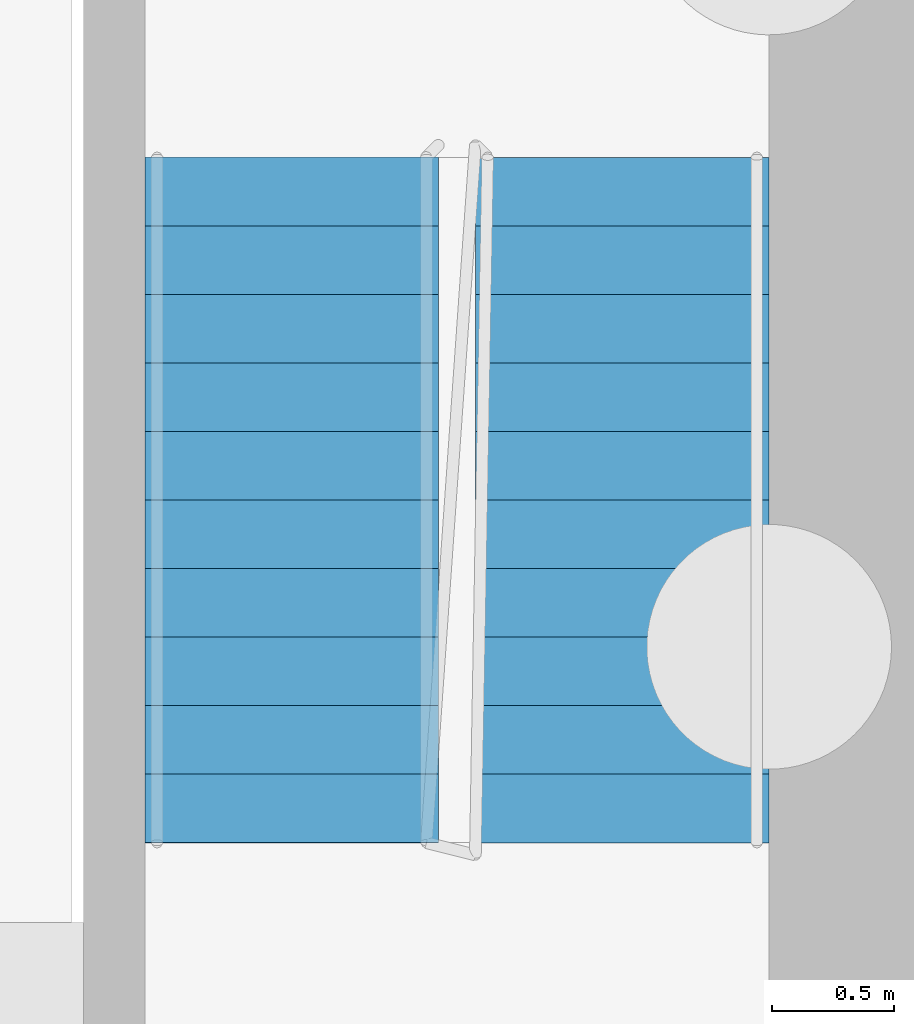
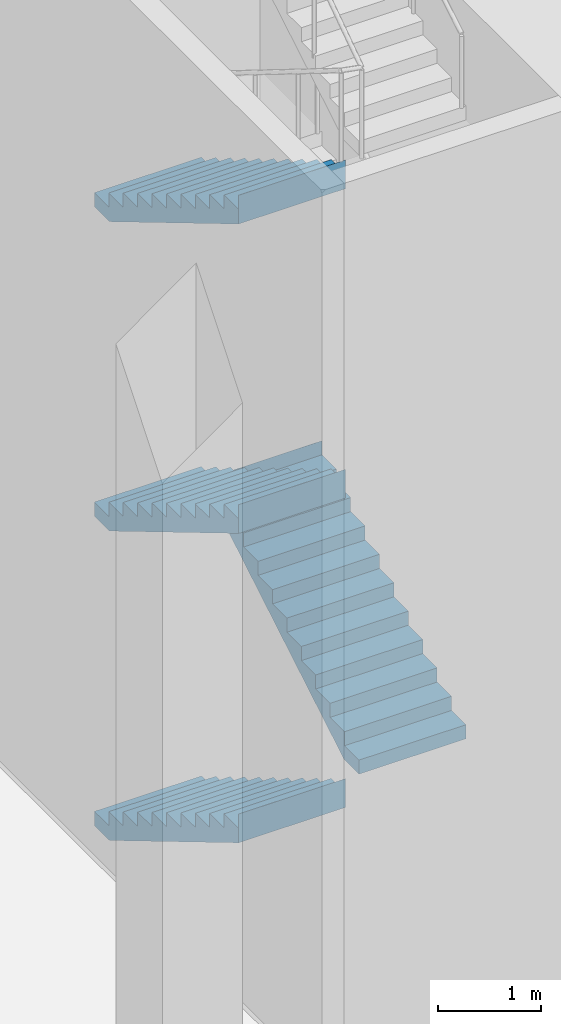
# One storey, part 10 of 26: 4 stair flights, 1 element without a shape of its own.
"""IFC4 building model written with IfcOpenShell, lengths in metres."""

from ifc_helpers import new_model, si_unit, direction, frame, origin, place, context, subcontext, project, spatial, faceted_brep, material, type_object, element, aggregate, save


model = new_model("IFC4")

# Units and contexts
model_context = context("Model", 3, precision=1e-05, world=origin(), true_north=direction((0.0, 1.0)))
body_context = subcontext(model_context, "Body", "Model", "MODEL_VIEW")
ifc_project = project(units=[si_unit("LENGTHUNIT", "METRE"), si_unit("AREAUNIT", "SQUARE_METRE"), si_unit("VOLUMEUNIT", "CUBIC_METRE"), si_unit("PLANEANGLEUNIT", "RADIAN"), si_unit("MASSUNIT", "GRAM", prefix="KILO")], contexts=[model_context])

# Site, building, storey
site_placement = place(None, origin())
site = spatial("IfcSite", under=ifc_project, at=site_placement, CompositionType="ELEMENT")
building_placement = place(site_placement, origin())
building = spatial("IfcBuilding", under=site, at=building_placement, Name="Kajstack Hotel Tower", CompositionType="ELEMENT")
storey_placement = place(building_placement, origin())
storey = spatial("IfcBuildingStorey", under=building, at=storey_placement, Name="L00", CompositionType="ELEMENT", Elevation=0.0)

# Stair, stair flights
ifc_material = material(Name="Concrete C40/50", Category="concrete")
stair_type = type_object("IfcStairType", Name="Exit stair 1200", PredefinedType="HALF_TURN_STAIR", material=ifc_material)
stair_placement = place(storey_placement, origin())
stair = element("IfcStair", 1, at=stair_placement, inside=storey, type_object=stair_type, Name="L00 stair W1", PredefinedType="HALF_TURN_STAIR")
stair_flight_type = type_object("IfcStairFlightType", Name="Exit stair flight 1200", PredefinedType="STRAIGHT", material=ifc_material)
stair_flight_1_placement = place(storey_placement, frame((-33.449951171875, -5.25, 0.0), z_axis=(0.0, 0.0, 1.0), x_axis=(0.0, -1.0, 0.0)))
stair_flight_1 = element("IfcStairFlight", 2, at=stair_flight_1_placement, type_object=stair_flight_type, Name="W1 flight 1", NumberOfRisers=11, NumberOfTreads=10, PredefinedType="STRAIGHT", RiserHeight=0.166666667, TreadLength=0.28, context=body_context, shape_type="Brep", body=[
    faceted_brep([(0.29345703125, -0.60009765625, 0.0), (2.800537109375, -0.60009765625, 1.4921875), (2.800537109375, -0.60009765625, 1.833251953125), (2.800048828125, -0.60009765625, 1.833251953125), (2.800048828125, -0.60009765625, 1.666748046875), (2.52001953125, -0.60009765625, 1.666748046875), (2.52001953125, -0.60009765625, 1.5), (2.239990234375, -0.60009765625, 1.5), (2.239990234375, -0.60009765625, 1.333251953125), (1.9599609375, -0.60009765625, 1.333251953125), (1.9599609375, -0.60009765625, 1.166748046875), (1.679931640625, -0.60009765625, 1.166748046875), (1.679931640625, -0.60009765625, 1.0), (1.39990234375, -0.60009765625, 1.0), (1.39990234375, -0.60009765625, 0.833251953125), (1.1201171875, -0.60009765625, 0.833251953125), (1.1201171875, -0.60009765625, 0.666748046875), (0.840087890625, -0.60009765625, 0.666748046875), (0.840087890625, -0.60009765625, 0.5), (0.56005859375, -0.60009765625, 0.5), (0.56005859375, -0.60009765625, 0.333251953125), (0.280029296875, -0.60009765625, 0.333251953125), (0.280029296875, -0.60009765625, 0.166748046875), (-0.00048828125, -0.60009765625, 0.166748046875), (-0.00048828125, -0.60009765625, 0.0), (-0.00048828125, 0.60009765625, 0.0), (-0.00048828125, 0.60009765625, 0.166748046875), (0.280029296875, 0.60009765625, 0.166748046875), (0.280029296875, 0.60009765625, 0.333251953125), (0.56005859375, 0.60009765625, 0.333251953125), (0.56005859375, 0.60009765625, 0.5), (0.840087890625, 0.60009765625, 0.5), (0.840087890625, 0.60009765625, 0.666748046875), (1.1201171875, 0.60009765625, 0.666748046875), (1.1201171875, 0.60009765625, 0.833251953125), (1.39990234375, 0.60009765625, 0.833251953125), (1.39990234375, 0.60009765625, 1.0), (1.679931640625, 0.60009765625, 1.0), (1.679931640625, 0.60009765625, 1.166748046875), (1.9599609375, 0.60009765625, 1.166748046875), (1.9599609375, 0.60009765625, 1.333251953125), (2.239990234375, 0.60009765625, 1.333251953125), (2.239990234375, 0.60009765625, 1.5), (2.52001953125, 0.60009765625, 1.5), (2.52001953125, 0.60009765625, 1.666748046875), (2.800048828125, 0.60009765625, 1.666748046875), (2.800048828125, 0.60009765625, 1.833251953125), (2.800537109375, 0.60009765625, 1.833251953125), (2.800537109375, 0.60009765625, 1.4921875), (0.29345703125, 0.60009765625, 0.0), (-0.00048828125, -0.300048828125, 0.166748046875), (-0.00048828125, 0.0, 0.166748046875), (-0.00048828125, 0.300048828125, 0.166748046875), (-0.00048828125, 0.300048828125, 0.0), (-0.00048828125, 0.0, 0.0), (-0.00048828125, -0.300048828125, 0.0), (0.280029296875, -0.300048828125, 0.166748046875), (0.280029296875, 0.0, 0.166748046875), (0.280029296875, 0.300048828125, 0.166748046875), (0.280029296875, -0.300048828125, 0.333251953125), (0.280029296875, 0.0, 0.333251953125), (0.280029296875, 0.300048828125, 0.333251953125), (0.56005859375, -0.300048828125, 0.333251953125), (0.56005859375, 0.0, 0.333251953125), (0.56005859375, 0.300048828125, 0.333251953125), (0.56005859375, -0.300048828125, 0.5), (0.56005859375, 0.0, 0.5), (0.56005859375, 0.300048828125, 0.5), (0.840087890625, -0.300048828125, 0.5), (0.840087890625, 0.0, 0.5), (0.840087890625, 0.300048828125, 0.5), (0.840087890625, -0.300048828125, 0.666748046875), (0.840087890625, 0.0, 0.666748046875), (0.840087890625, 0.300048828125, 0.666748046875), (1.1201171875, -0.300048828125, 0.666748046875), (1.1201171875, 0.0, 0.666748046875), (1.1201171875, 0.300048828125, 0.666748046875), (1.1201171875, -0.300048828125, 0.833251953125), (1.1201171875, 0.0, 0.833251953125), (1.1201171875, 0.300048828125, 0.833251953125), (1.39990234375, -0.300048828125, 0.833251953125), (1.39990234375, 0.0, 0.833251953125), (1.39990234375, 0.300048828125, 0.833251953125), (1.39990234375, -0.300048828125, 1.0), (1.39990234375, 0.0, 1.0), (1.39990234375, 0.300048828125, 1.0), (1.679931640625, -0.300048828125, 1.0), (1.679931640625, 0.0, 1.0), (1.679931640625, 0.300048828125, 1.0), (1.679931640625, -0.300048828125, 1.166748046875), (1.679931640625, 0.0, 1.166748046875), (1.679931640625, 0.300048828125, 1.166748046875), (1.9599609375, -0.300048828125, 1.166748046875), (1.9599609375, 0.0, 1.166748046875), (1.9599609375, 0.300048828125, 1.166748046875), (1.9599609375, -0.300048828125, 1.333251953125), (1.9599609375, 0.0, 1.333251953125), (1.9599609375, 0.300048828125, 1.333251953125), (2.239990234375, -0.300048828125, 1.333251953125), (2.239990234375, 0.0, 1.333251953125), (2.239990234375, 0.300048828125, 1.333251953125), (2.239990234375, -0.300048828125, 1.5), (2.239990234375, 0.0, 1.5), (2.239990234375, 0.300048828125, 1.5), (2.52001953125, -0.300048828125, 1.5), (2.52001953125, 0.0, 1.5), (2.52001953125, 0.300048828125, 1.5), (2.52001953125, -0.300048828125, 1.666748046875), (2.52001953125, 0.0, 1.666748046875), (2.52001953125, 0.300048828125, 1.666748046875), (2.800048828125, -0.300048828125, 1.666748046875), (2.800048828125, 0.0, 1.666748046875), (2.800048828125, 0.300048828125, 1.666748046875), (2.800048828125, -0.300048828125, 1.833251953125), (2.800048828125, 0.0, 1.833251953125), (2.800048828125, 0.300048828125, 1.833251953125), (2.800537109375, -0.300048828125, 1.833251953125), (2.800537109375, 0.0, 1.833251953125), (2.800537109375, 0.300048828125, 1.833251953125), (2.800537109375, -0.300048828125, 1.4921875), (2.800537109375, 0.0, 1.4921875), (2.800537109375, 0.300048828125, 1.4921875), (0.29345703125, -0.300048828125, 0.0), (0.29345703125, 0.0, 0.0), (0.29345703125, 0.300048828125, 0.0)], [[[0, 1, 2, 3, 4, 5, 6, 7, 8, 9, 10, 11, 12, 13, 14, 15, 16, 17, 18, 19, 20, 21, 22, 23, 24]], [[25, 26, 27, 28, 29, 30, 31, 32, 33, 34, 35, 36, 37, 38, 39, 40, 41, 42, 43, 44, 45, 46, 47, 48, 49]], [[23, 50, 51, 52, 26, 25, 53, 54, 55, 24]], [[22, 56, 57, 58, 27, 26, 52, 51, 50, 23]], [[21, 59, 60, 61, 28, 27, 58, 57, 56, 22]], [[20, 62, 63, 64, 29, 28, 61, 60, 59, 21]], [[19, 65, 66, 67, 30, 29, 64, 63, 62, 20]], [[18, 68, 69, 70, 31, 30, 67, 66, 65, 19]], [[17, 71, 72, 73, 32, 31, 70, 69, 68, 18]], [[16, 74, 75, 76, 33, 32, 73, 72, 71, 17]], [[15, 77, 78, 79, 34, 33, 76, 75, 74, 16]], [[14, 80, 81, 82, 35, 34, 79, 78, 77, 15]], [[13, 83, 84, 85, 36, 35, 82, 81, 80, 14]], [[12, 86, 87, 88, 37, 36, 85, 84, 83, 13]], [[11, 89, 90, 91, 38, 37, 88, 87, 86, 12]], [[10, 92, 93, 94, 39, 38, 91, 90, 89, 11]], [[9, 95, 96, 97, 40, 39, 94, 93, 92, 10]], [[8, 98, 99, 100, 41, 40, 97, 96, 95, 9]], [[7, 101, 102, 103, 42, 41, 100, 99, 98, 8]], [[6, 104, 105, 106, 43, 42, 103, 102, 101, 7]], [[5, 107, 108, 109, 44, 43, 106, 105, 104, 6]], [[4, 110, 111, 112, 45, 44, 109, 108, 107, 5]], [[3, 113, 114, 115, 46, 45, 112, 111, 110, 4]], [[2, 116, 117, 118, 47, 46, 115, 114, 113, 3]], [[1, 119, 120, 121, 48, 47, 118, 117, 116, 2]], [[0, 122, 123, 124, 49, 48, 121, 120, 119, 1]], [[24, 55, 54, 53, 25, 49, 124, 123, 122, 0]]]),
])
stair_flight_2_placement = place(storey_placement, frame((-32.10009765625, -8.050048828125, 1.833251953125), z_axis=(0.0, 0.0, 1.0), x_axis=(0.0, 1.0, 0.0)))
stair_flight_2 = element("IfcStairFlight", 3, at=stair_flight_2_placement, type_object=stair_flight_type, Name="W1 flight 2", NumberOfRisers=11, NumberOfTreads=10, PredefinedType="STRAIGHT", RiserHeight=0.166666667, TreadLength=0.28, context=body_context, shape_type="Brep", body=[
    faceted_brep([(0.29345703125, -0.60009765625, 0.0), (2.800537109375, -0.60009765625, 1.4921875), (2.800537109375, -0.60009765625, 1.833251953125), (2.800048828125, -0.60009765625, 1.833251953125), (2.800048828125, -0.60009765625, 1.666748046875), (2.52001953125, -0.60009765625, 1.666748046875), (2.52001953125, -0.60009765625, 1.5), (2.239990234375, -0.60009765625, 1.5), (2.239990234375, -0.60009765625, 1.333251953125), (1.9599609375, -0.60009765625, 1.333251953125), (1.9599609375, -0.60009765625, 1.166748046875), (1.679931640625, -0.60009765625, 1.166748046875), (1.679931640625, -0.60009765625, 1.0), (1.39990234375, -0.60009765625, 1.0), (1.39990234375, -0.60009765625, 0.833251953125), (1.1201171875, -0.60009765625, 0.833251953125), (1.1201171875, -0.60009765625, 0.666748046875), (0.840087890625, -0.60009765625, 0.666748046875), (0.840087890625, -0.60009765625, 0.5), (0.56005859375, -0.60009765625, 0.5), (0.56005859375, -0.60009765625, 0.333251953125), (0.280029296875, -0.60009765625, 0.333251953125), (0.280029296875, -0.60009765625, 0.166748046875), (-0.00048828125, -0.60009765625, 0.166748046875), (-0.00048828125, -0.60009765625, 0.0), (-0.00048828125, 0.60009765625, 0.0), (-0.00048828125, 0.60009765625, 0.166748046875), (0.280029296875, 0.60009765625, 0.166748046875), (0.280029296875, 0.60009765625, 0.333251953125), (0.56005859375, 0.60009765625, 0.333251953125), (0.56005859375, 0.60009765625, 0.5), (0.840087890625, 0.60009765625, 0.5), (0.840087890625, 0.60009765625, 0.666748046875), (1.1201171875, 0.60009765625, 0.666748046875), (1.1201171875, 0.60009765625, 0.833251953125), (1.39990234375, 0.60009765625, 0.833251953125), (1.39990234375, 0.60009765625, 1.0), (1.679931640625, 0.60009765625, 1.0), (1.679931640625, 0.60009765625, 1.166748046875), (1.9599609375, 0.60009765625, 1.166748046875), (1.9599609375, 0.60009765625, 1.333251953125), (2.239990234375, 0.60009765625, 1.333251953125), (2.239990234375, 0.60009765625, 1.5), (2.52001953125, 0.60009765625, 1.5), (2.52001953125, 0.60009765625, 1.666748046875), (2.800048828125, 0.60009765625, 1.666748046875), (2.800048828125, 0.60009765625, 1.833251953125), (2.800537109375, 0.60009765625, 1.833251953125), (2.800537109375, 0.60009765625, 1.4921875), (0.29345703125, 0.60009765625, 0.0), (-0.00048828125, -0.300048828125, 0.166748046875), (-0.00048828125, 0.0, 0.166748046875), (-0.00048828125, 0.300048828125, 0.166748046875), (-0.00048828125, 0.300048828125, 0.0), (-0.00048828125, 0.0, 0.0), (-0.00048828125, -0.300048828125, 0.0), (0.280029296875, -0.300048828125, 0.166748046875), (0.280029296875, 0.0, 0.166748046875), (0.280029296875, 0.300048828125, 0.166748046875), (0.280029296875, -0.300048828125, 0.333251953125), (0.280029296875, 0.0, 0.333251953125), (0.280029296875, 0.300048828125, 0.333251953125), (0.56005859375, -0.300048828125, 0.333251953125), (0.56005859375, 0.0, 0.333251953125), (0.56005859375, 0.300048828125, 0.333251953125), (0.56005859375, -0.300048828125, 0.5), (0.56005859375, 0.0, 0.5), (0.56005859375, 0.300048828125, 0.5), (0.840087890625, -0.300048828125, 0.5), (0.840087890625, 0.0, 0.5), (0.840087890625, 0.300048828125, 0.5), (0.840087890625, -0.300048828125, 0.666748046875), (0.840087890625, 0.0, 0.666748046875), (0.840087890625, 0.300048828125, 0.666748046875), (1.1201171875, -0.300048828125, 0.666748046875), (1.1201171875, 0.0, 0.666748046875), (1.1201171875, 0.300048828125, 0.666748046875), (1.1201171875, -0.300048828125, 0.833251953125), (1.1201171875, 0.0, 0.833251953125), (1.1201171875, 0.300048828125, 0.833251953125), (1.39990234375, -0.300048828125, 0.833251953125), (1.39990234375, 0.0, 0.833251953125), (1.39990234375, 0.300048828125, 0.833251953125), (1.39990234375, -0.300048828125, 1.0), (1.39990234375, 0.0, 1.0), (1.39990234375, 0.300048828125, 1.0), (1.679931640625, -0.300048828125, 1.0), (1.679931640625, 0.0, 1.0), (1.679931640625, 0.300048828125, 1.0), (1.679931640625, -0.300048828125, 1.166748046875), (1.679931640625, 0.0, 1.166748046875), (1.679931640625, 0.300048828125, 1.166748046875), (1.9599609375, -0.300048828125, 1.166748046875), (1.9599609375, 0.0, 1.166748046875), (1.9599609375, 0.300048828125, 1.166748046875), (1.9599609375, -0.300048828125, 1.333251953125), (1.9599609375, 0.0, 1.333251953125), (1.9599609375, 0.300048828125, 1.333251953125), (2.239990234375, -0.300048828125, 1.333251953125), (2.239990234375, 0.0, 1.333251953125), (2.239990234375, 0.300048828125, 1.333251953125), (2.239990234375, -0.300048828125, 1.5), (2.239990234375, 0.0, 1.5), (2.239990234375, 0.300048828125, 1.5), (2.52001953125, -0.300048828125, 1.5), (2.52001953125, 0.0, 1.5), (2.52001953125, 0.300048828125, 1.5), (2.52001953125, -0.300048828125, 1.666748046875), (2.52001953125, 0.0, 1.666748046875), (2.52001953125, 0.300048828125, 1.666748046875), (2.800048828125, -0.300048828125, 1.666748046875), (2.800048828125, 0.0, 1.666748046875), (2.800048828125, 0.300048828125, 1.666748046875), (2.800048828125, -0.300048828125, 1.833251953125), (2.800048828125, 0.0, 1.833251953125), (2.800048828125, 0.300048828125, 1.833251953125), (2.800537109375, -0.300048828125, 1.833251953125), (2.800537109375, 0.0, 1.833251953125), (2.800537109375, 0.300048828125, 1.833251953125), (2.800537109375, -0.300048828125, 1.4921875), (2.800537109375, 0.0, 1.4921875), (2.800537109375, 0.300048828125, 1.4921875), (0.29345703125, -0.300048828125, 0.0), (0.29345703125, 0.0, 0.0), (0.29345703125, 0.300048828125, 0.0)], [[[0, 1, 2, 3, 4, 5, 6, 7, 8, 9, 10, 11, 12, 13, 14, 15, 16, 17, 18, 19, 20, 21, 22, 23, 24]], [[25, 26, 27, 28, 29, 30, 31, 32, 33, 34, 35, 36, 37, 38, 39, 40, 41, 42, 43, 44, 45, 46, 47, 48, 49]], [[23, 50, 51, 52, 26, 25, 53, 54, 55, 24]], [[22, 56, 57, 58, 27, 26, 52, 51, 50, 23]], [[21, 59, 60, 61, 28, 27, 58, 57, 56, 22]], [[20, 62, 63, 64, 29, 28, 61, 60, 59, 21]], [[19, 65, 66, 67, 30, 29, 64, 63, 62, 20]], [[18, 68, 69, 70, 31, 30, 67, 66, 65, 19]], [[17, 71, 72, 73, 32, 31, 70, 69, 68, 18]], [[16, 74, 75, 76, 33, 32, 73, 72, 71, 17]], [[15, 77, 78, 79, 34, 33, 76, 75, 74, 16]], [[14, 80, 81, 82, 35, 34, 79, 78, 77, 15]], [[13, 83, 84, 85, 36, 35, 82, 81, 80, 14]], [[12, 86, 87, 88, 37, 36, 85, 84, 83, 13]], [[11, 89, 90, 91, 38, 37, 88, 87, 86, 12]], [[10, 92, 93, 94, 39, 38, 91, 90, 89, 11]], [[9, 95, 96, 97, 40, 39, 94, 93, 92, 10]], [[8, 98, 99, 100, 41, 40, 97, 96, 95, 9]], [[7, 101, 102, 103, 42, 41, 100, 99, 98, 8]], [[6, 104, 105, 106, 43, 42, 103, 102, 101, 7]], [[5, 107, 108, 109, 44, 43, 106, 105, 104, 6]], [[4, 110, 111, 112, 45, 44, 109, 108, 107, 5]], [[3, 113, 114, 115, 46, 45, 112, 111, 110, 4]], [[2, 116, 117, 118, 47, 46, 115, 114, 113, 3]], [[1, 119, 120, 121, 48, 47, 118, 117, 116, 2]], [[0, 122, 123, 124, 49, 48, 121, 120, 119, 1]], [[24, 55, 54, 53, 25, 49, 124, 123, 122, 0]]]),
])
stair_flight_3_placement = place(storey_placement, frame((-33.449951171875, -5.25, 3.666748046875), z_axis=(0.0, 0.0, 1.0), x_axis=(0.0, -1.0, 0.0)))
stair_flight_3 = element("IfcStairFlight", 4, at=stair_flight_3_placement, type_object=stair_flight_type, Name="W1 flight 3", NumberOfRisers=11, NumberOfTreads=10, PredefinedType="STRAIGHT", RiserHeight=0.166666667, TreadLength=0.28, context=body_context, shape_type="Brep", body=[
    faceted_brep([(0.29345703125, -0.60009765625, 0.0), (2.800537109375, -0.60009765625, 1.4921875), (2.800537109375, -0.60009765625, 1.833251953125), (2.800048828125, -0.60009765625, 1.833251953125), (2.800048828125, -0.60009765625, 1.666748046875), (2.52001953125, -0.60009765625, 1.666748046875), (2.52001953125, -0.60009765625, 1.5), (2.239990234375, -0.60009765625, 1.5), (2.239990234375, -0.60009765625, 1.333251953125), (1.9599609375, -0.60009765625, 1.333251953125), (1.9599609375, -0.60009765625, 1.166748046875), (1.679931640625, -0.60009765625, 1.166748046875), (1.679931640625, -0.60009765625, 1.0), (1.39990234375, -0.60009765625, 1.0), (1.39990234375, -0.60009765625, 0.833251953125), (1.1201171875, -0.60009765625, 0.833251953125), (1.1201171875, -0.60009765625, 0.666748046875), (0.840087890625, -0.60009765625, 0.666748046875), (0.840087890625, -0.60009765625, 0.5), (0.56005859375, -0.60009765625, 0.5), (0.56005859375, -0.60009765625, 0.333251953125), (0.280029296875, -0.60009765625, 0.333251953125), (0.280029296875, -0.60009765625, 0.166748046875), (-0.00048828125, -0.60009765625, 0.166748046875), (-0.00048828125, -0.60009765625, 0.0), (-0.00048828125, 0.60009765625, 0.0), (-0.00048828125, 0.60009765625, 0.166748046875), (0.280029296875, 0.60009765625, 0.166748046875), (0.280029296875, 0.60009765625, 0.333251953125), (0.56005859375, 0.60009765625, 0.333251953125), (0.56005859375, 0.60009765625, 0.5), (0.840087890625, 0.60009765625, 0.5), (0.840087890625, 0.60009765625, 0.666748046875), (1.1201171875, 0.60009765625, 0.666748046875), (1.1201171875, 0.60009765625, 0.833251953125), (1.39990234375, 0.60009765625, 0.833251953125), (1.39990234375, 0.60009765625, 1.0), (1.679931640625, 0.60009765625, 1.0), (1.679931640625, 0.60009765625, 1.166748046875), (1.9599609375, 0.60009765625, 1.166748046875), (1.9599609375, 0.60009765625, 1.333251953125), (2.239990234375, 0.60009765625, 1.333251953125), (2.239990234375, 0.60009765625, 1.5), (2.52001953125, 0.60009765625, 1.5), (2.52001953125, 0.60009765625, 1.666748046875), (2.800048828125, 0.60009765625, 1.666748046875), (2.800048828125, 0.60009765625, 1.833251953125), (2.800537109375, 0.60009765625, 1.833251953125), (2.800537109375, 0.60009765625, 1.4921875), (0.29345703125, 0.60009765625, 0.0), (-0.00048828125, -0.300048828125, 0.166748046875), (-0.00048828125, 0.0, 0.166748046875), (-0.00048828125, 0.300048828125, 0.166748046875), (-0.00048828125, 0.300048828125, 0.0), (-0.00048828125, 0.0, 0.0), (-0.00048828125, -0.300048828125, 0.0), (0.280029296875, -0.300048828125, 0.166748046875), (0.280029296875, 0.0, 0.166748046875), (0.280029296875, 0.300048828125, 0.166748046875), (0.280029296875, -0.300048828125, 0.333251953125), (0.280029296875, 0.0, 0.333251953125), (0.280029296875, 0.300048828125, 0.333251953125), (0.56005859375, -0.300048828125, 0.333251953125), (0.56005859375, 0.0, 0.333251953125), (0.56005859375, 0.300048828125, 0.333251953125), (0.56005859375, -0.300048828125, 0.5), (0.56005859375, 0.0, 0.5), (0.56005859375, 0.300048828125, 0.5), (0.840087890625, -0.300048828125, 0.5), (0.840087890625, 0.0, 0.5), (0.840087890625, 0.300048828125, 0.5), (0.840087890625, -0.300048828125, 0.666748046875), (0.840087890625, 0.0, 0.666748046875), (0.840087890625, 0.300048828125, 0.666748046875), (1.1201171875, -0.300048828125, 0.666748046875), (1.1201171875, 0.0, 0.666748046875), (1.1201171875, 0.300048828125, 0.666748046875), (1.1201171875, -0.300048828125, 0.833251953125), (1.1201171875, 0.0, 0.833251953125), (1.1201171875, 0.300048828125, 0.833251953125), (1.39990234375, -0.300048828125, 0.833251953125), (1.39990234375, 0.0, 0.833251953125), (1.39990234375, 0.300048828125, 0.833251953125), (1.39990234375, -0.300048828125, 1.0), (1.39990234375, 0.0, 1.0), (1.39990234375, 0.300048828125, 1.0), (1.679931640625, -0.300048828125, 1.0), (1.679931640625, 0.0, 1.0), (1.679931640625, 0.300048828125, 1.0), (1.679931640625, -0.300048828125, 1.166748046875), (1.679931640625, 0.0, 1.166748046875), (1.679931640625, 0.300048828125, 1.166748046875), (1.9599609375, -0.300048828125, 1.166748046875), (1.9599609375, 0.0, 1.166748046875), (1.9599609375, 0.300048828125, 1.166748046875), (1.9599609375, -0.300048828125, 1.333251953125), (1.9599609375, 0.0, 1.333251953125), (1.9599609375, 0.300048828125, 1.333251953125), (2.239990234375, -0.300048828125, 1.333251953125), (2.239990234375, 0.0, 1.333251953125), (2.239990234375, 0.300048828125, 1.333251953125), (2.239990234375, -0.300048828125, 1.5), (2.239990234375, 0.0, 1.5), (2.239990234375, 0.300048828125, 1.5), (2.52001953125, -0.300048828125, 1.5), (2.52001953125, 0.0, 1.5), (2.52001953125, 0.300048828125, 1.5), (2.52001953125, -0.300048828125, 1.666748046875), (2.52001953125, 0.0, 1.666748046875), (2.52001953125, 0.300048828125, 1.666748046875), (2.800048828125, -0.300048828125, 1.666748046875), (2.800048828125, 0.0, 1.666748046875), (2.800048828125, 0.300048828125, 1.666748046875), (2.800048828125, -0.300048828125, 1.833251953125), (2.800048828125, 0.0, 1.833251953125), (2.800048828125, 0.300048828125, 1.833251953125), (2.800537109375, -0.300048828125, 1.833251953125), (2.800537109375, 0.0, 1.833251953125), (2.800537109375, 0.300048828125, 1.833251953125), (2.800537109375, -0.300048828125, 1.4921875), (2.800537109375, 0.0, 1.4921875), (2.800537109375, 0.300048828125, 1.4921875), (0.29345703125, -0.300048828125, 0.0), (0.29345703125, 0.0, 0.0), (0.29345703125, 0.300048828125, 0.0)], [[[0, 1, 2, 3, 4, 5, 6, 7, 8, 9, 10, 11, 12, 13, 14, 15, 16, 17, 18, 19, 20, 21, 22, 23, 24]], [[25, 26, 27, 28, 29, 30, 31, 32, 33, 34, 35, 36, 37, 38, 39, 40, 41, 42, 43, 44, 45, 46, 47, 48, 49]], [[23, 50, 51, 52, 26, 25, 53, 54, 55, 24]], [[22, 56, 57, 58, 27, 26, 52, 51, 50, 23]], [[21, 59, 60, 61, 28, 27, 58, 57, 56, 22]], [[20, 62, 63, 64, 29, 28, 61, 60, 59, 21]], [[19, 65, 66, 67, 30, 29, 64, 63, 62, 20]], [[18, 68, 69, 70, 31, 30, 67, 66, 65, 19]], [[17, 71, 72, 73, 32, 31, 70, 69, 68, 18]], [[16, 74, 75, 76, 33, 32, 73, 72, 71, 17]], [[15, 77, 78, 79, 34, 33, 76, 75, 74, 16]], [[14, 80, 81, 82, 35, 34, 79, 78, 77, 15]], [[13, 83, 84, 85, 36, 35, 82, 81, 80, 14]], [[12, 86, 87, 88, 37, 36, 85, 84, 83, 13]], [[11, 89, 90, 91, 38, 37, 88, 87, 86, 12]], [[10, 92, 93, 94, 39, 38, 91, 90, 89, 11]], [[9, 95, 96, 97, 40, 39, 94, 93, 92, 10]], [[8, 98, 99, 100, 41, 40, 97, 96, 95, 9]], [[7, 101, 102, 103, 42, 41, 100, 99, 98, 8]], [[6, 104, 105, 106, 43, 42, 103, 102, 101, 7]], [[5, 107, 108, 109, 44, 43, 106, 105, 104, 6]], [[4, 110, 111, 112, 45, 44, 109, 108, 107, 5]], [[3, 113, 114, 115, 46, 45, 112, 111, 110, 4]], [[2, 116, 117, 118, 47, 46, 115, 114, 113, 3]], [[1, 119, 120, 121, 48, 47, 118, 117, 116, 2]], [[0, 122, 123, 124, 49, 48, 121, 120, 119, 1]], [[24, 55, 54, 53, 25, 49, 124, 123, 122, 0]]]),
])
stair_flight_4_placement = place(storey_placement, frame((-33.449951171875, -5.25, 7.333251953125), z_axis=(0.0, 0.0, 1.0), x_axis=(0.0, -1.0, 0.0)))
stair_flight_4 = element("IfcStairFlight", 5, at=stair_flight_4_placement, type_object=stair_flight_type, Name="W1 flight 5", NumberOfRisers=11, NumberOfTreads=10, PredefinedType="STRAIGHT", RiserHeight=0.166666667, TreadLength=0.28, context=body_context, shape_type="Brep", body=[
    faceted_brep([(0.29345703125, -0.60009765625, 0.0), (2.800537109375, -0.60009765625, 1.4921875), (2.800537109375, -0.60009765625, 1.833251953125), (2.800048828125, -0.60009765625, 1.833251953125), (2.800048828125, -0.60009765625, 1.666748046875), (2.52001953125, -0.60009765625, 1.666748046875), (2.52001953125, -0.60009765625, 1.5), (2.239990234375, -0.60009765625, 1.5), (2.239990234375, -0.60009765625, 1.333251953125), (1.9599609375, -0.60009765625, 1.333251953125), (1.9599609375, -0.60009765625, 1.166748046875), (1.679931640625, -0.60009765625, 1.166748046875), (1.679931640625, -0.60009765625, 1.0), (1.39990234375, -0.60009765625, 1.0), (1.39990234375, -0.60009765625, 0.833251953125), (1.1201171875, -0.60009765625, 0.833251953125), (1.1201171875, -0.60009765625, 0.666748046875), (0.840087890625, -0.60009765625, 0.666748046875), (0.840087890625, -0.60009765625, 0.5), (0.56005859375, -0.60009765625, 0.5), (0.56005859375, -0.60009765625, 0.333251953125), (0.280029296875, -0.60009765625, 0.333251953125), (0.280029296875, -0.60009765625, 0.166748046875), (-0.00048828125, -0.60009765625, 0.166748046875), (-0.00048828125, -0.60009765625, 0.0), (-0.00048828125, 0.60009765625, 0.0), (-0.00048828125, 0.60009765625, 0.166748046875), (0.280029296875, 0.60009765625, 0.166748046875), (0.280029296875, 0.60009765625, 0.333251953125), (0.56005859375, 0.60009765625, 0.333251953125), (0.56005859375, 0.60009765625, 0.5), (0.840087890625, 0.60009765625, 0.5), (0.840087890625, 0.60009765625, 0.666748046875), (1.1201171875, 0.60009765625, 0.666748046875), (1.1201171875, 0.60009765625, 0.833251953125), (1.39990234375, 0.60009765625, 0.833251953125), (1.39990234375, 0.60009765625, 1.0), (1.679931640625, 0.60009765625, 1.0), (1.679931640625, 0.60009765625, 1.166748046875), (1.9599609375, 0.60009765625, 1.166748046875), (1.9599609375, 0.60009765625, 1.333251953125), (2.239990234375, 0.60009765625, 1.333251953125), (2.239990234375, 0.60009765625, 1.5), (2.52001953125, 0.60009765625, 1.5), (2.52001953125, 0.60009765625, 1.666748046875), (2.800048828125, 0.60009765625, 1.666748046875), (2.800048828125, 0.60009765625, 1.833251953125), (2.800537109375, 0.60009765625, 1.833251953125), (2.800537109375, 0.60009765625, 1.4921875), (0.29345703125, 0.60009765625, 0.0), (-0.00048828125, -0.300048828125, 0.166748046875), (-0.00048828125, 0.0, 0.166748046875), (-0.00048828125, 0.300048828125, 0.166748046875), (-0.00048828125, 0.300048828125, 0.0), (-0.00048828125, 0.0, 0.0), (-0.00048828125, -0.300048828125, 0.0), (0.280029296875, -0.300048828125, 0.166748046875), (0.280029296875, 0.0, 0.166748046875), (0.280029296875, 0.300048828125, 0.166748046875), (0.280029296875, -0.300048828125, 0.333251953125), (0.280029296875, 0.0, 0.333251953125), (0.280029296875, 0.300048828125, 0.333251953125), (0.56005859375, -0.300048828125, 0.333251953125), (0.56005859375, 0.0, 0.333251953125), (0.56005859375, 0.300048828125, 0.333251953125), (0.56005859375, -0.300048828125, 0.5), (0.56005859375, 0.0, 0.5), (0.56005859375, 0.300048828125, 0.5), (0.840087890625, -0.300048828125, 0.5), (0.840087890625, 0.0, 0.5), (0.840087890625, 0.300048828125, 0.5), (0.840087890625, -0.300048828125, 0.666748046875), (0.840087890625, 0.0, 0.666748046875), (0.840087890625, 0.300048828125, 0.666748046875), (1.1201171875, -0.300048828125, 0.666748046875), (1.1201171875, 0.0, 0.666748046875), (1.1201171875, 0.300048828125, 0.666748046875), (1.1201171875, -0.300048828125, 0.833251953125), (1.1201171875, 0.0, 0.833251953125), (1.1201171875, 0.300048828125, 0.833251953125), (1.39990234375, -0.300048828125, 0.833251953125), (1.39990234375, 0.0, 0.833251953125), (1.39990234375, 0.300048828125, 0.833251953125), (1.39990234375, -0.300048828125, 1.0), (1.39990234375, 0.0, 1.0), (1.39990234375, 0.300048828125, 1.0), (1.679931640625, -0.300048828125, 1.0), (1.679931640625, 0.0, 1.0), (1.679931640625, 0.300048828125, 1.0), (1.679931640625, -0.300048828125, 1.166748046875), (1.679931640625, 0.0, 1.166748046875), (1.679931640625, 0.300048828125, 1.166748046875), (1.9599609375, -0.300048828125, 1.166748046875), (1.9599609375, 0.0, 1.166748046875), (1.9599609375, 0.300048828125, 1.166748046875), (1.9599609375, -0.300048828125, 1.333251953125), (1.9599609375, 0.0, 1.333251953125), (1.9599609375, 0.300048828125, 1.333251953125), (2.239990234375, -0.300048828125, 1.333251953125), (2.239990234375, 0.0, 1.333251953125), (2.239990234375, 0.300048828125, 1.333251953125), (2.239990234375, -0.300048828125, 1.5), (2.239990234375, 0.0, 1.5), (2.239990234375, 0.300048828125, 1.5), (2.52001953125, -0.300048828125, 1.5), (2.52001953125, 0.0, 1.5), (2.52001953125, 0.300048828125, 1.5), (2.52001953125, -0.300048828125, 1.666748046875), (2.52001953125, 0.0, 1.666748046875), (2.52001953125, 0.300048828125, 1.666748046875), (2.800048828125, -0.300048828125, 1.666748046875), (2.800048828125, 0.0, 1.666748046875), (2.800048828125, 0.300048828125, 1.666748046875), (2.800048828125, -0.300048828125, 1.833251953125), (2.800048828125, 0.0, 1.833251953125), (2.800048828125, 0.300048828125, 1.833251953125), (2.800537109375, -0.300048828125, 1.833251953125), (2.800537109375, 0.0, 1.833251953125), (2.800537109375, 0.300048828125, 1.833251953125), (2.800537109375, -0.300048828125, 1.4921875), (2.800537109375, 0.0, 1.4921875), (2.800537109375, 0.300048828125, 1.4921875), (0.29345703125, -0.300048828125, 0.0), (0.29345703125, 0.0, 0.0), (0.29345703125, 0.300048828125, 0.0)], [[[0, 1, 2, 3, 4, 5, 6, 7, 8, 9, 10, 11, 12, 13, 14, 15, 16, 17, 18, 19, 20, 21, 22, 23, 24]], [[25, 26, 27, 28, 29, 30, 31, 32, 33, 34, 35, 36, 37, 38, 39, 40, 41, 42, 43, 44, 45, 46, 47, 48, 49]], [[23, 50, 51, 52, 26, 25, 53, 54, 55, 24]], [[22, 56, 57, 58, 27, 26, 52, 51, 50, 23]], [[21, 59, 60, 61, 28, 27, 58, 57, 56, 22]], [[20, 62, 63, 64, 29, 28, 61, 60, 59, 21]], [[19, 65, 66, 67, 30, 29, 64, 63, 62, 20]], [[18, 68, 69, 70, 31, 30, 67, 66, 65, 19]], [[17, 71, 72, 73, 32, 31, 70, 69, 68, 18]], [[16, 74, 75, 76, 33, 32, 73, 72, 71, 17]], [[15, 77, 78, 79, 34, 33, 76, 75, 74, 16]], [[14, 80, 81, 82, 35, 34, 79, 78, 77, 15]], [[13, 83, 84, 85, 36, 35, 82, 81, 80, 14]], [[12, 86, 87, 88, 37, 36, 85, 84, 83, 13]], [[11, 89, 90, 91, 38, 37, 88, 87, 86, 12]], [[10, 92, 93, 94, 39, 38, 91, 90, 89, 11]], [[9, 95, 96, 97, 40, 39, 94, 93, 92, 10]], [[8, 98, 99, 100, 41, 40, 97, 96, 95, 9]], [[7, 101, 102, 103, 42, 41, 100, 99, 98, 8]], [[6, 104, 105, 106, 43, 42, 103, 102, 101, 7]], [[5, 107, 108, 109, 44, 43, 106, 105, 104, 6]], [[4, 110, 111, 112, 45, 44, 109, 108, 107, 5]], [[3, 113, 114, 115, 46, 45, 112, 111, 110, 4]], [[2, 116, 117, 118, 47, 46, 115, 114, 113, 3]], [[1, 119, 120, 121, 48, 47, 118, 117, 116, 2]], [[0, 122, 123, 124, 49, 48, 121, 120, 119, 1]], [[24, 55, 54, 53, 25, 49, 124, 123, 122, 0]]]),
])
aggregate(stair, [stair_flight_1, stair_flight_2, stair_flight_3, stair_flight_4])

save(model, "model.ifc")
